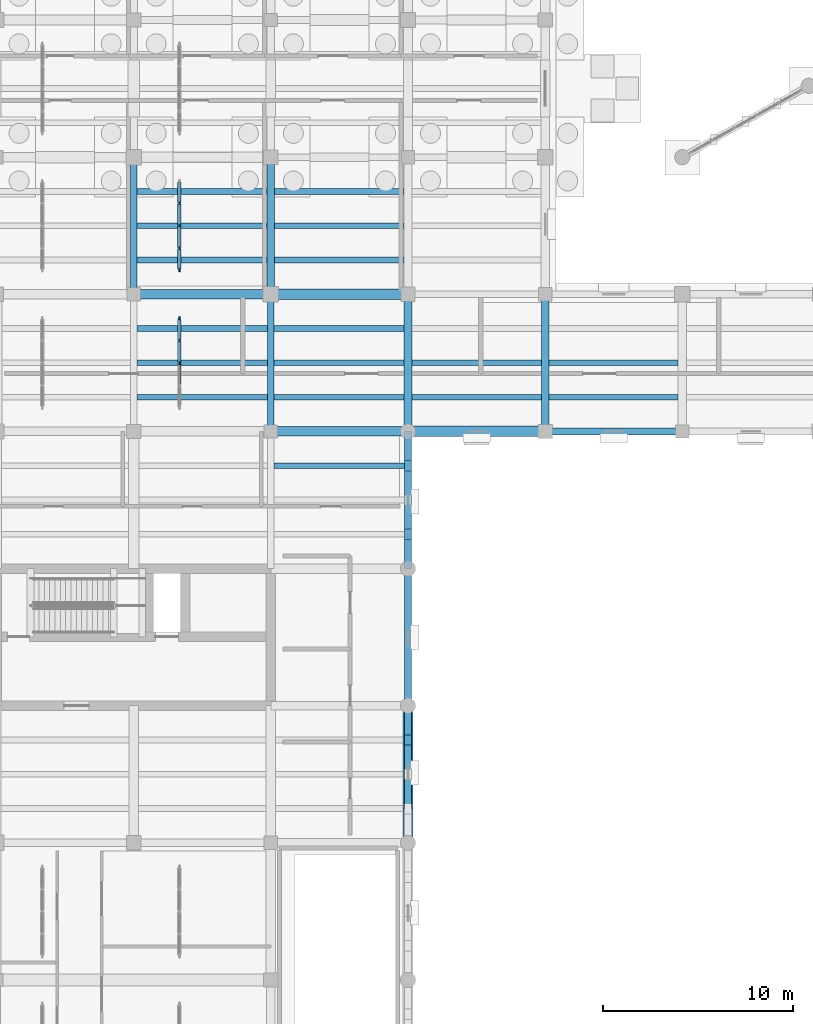
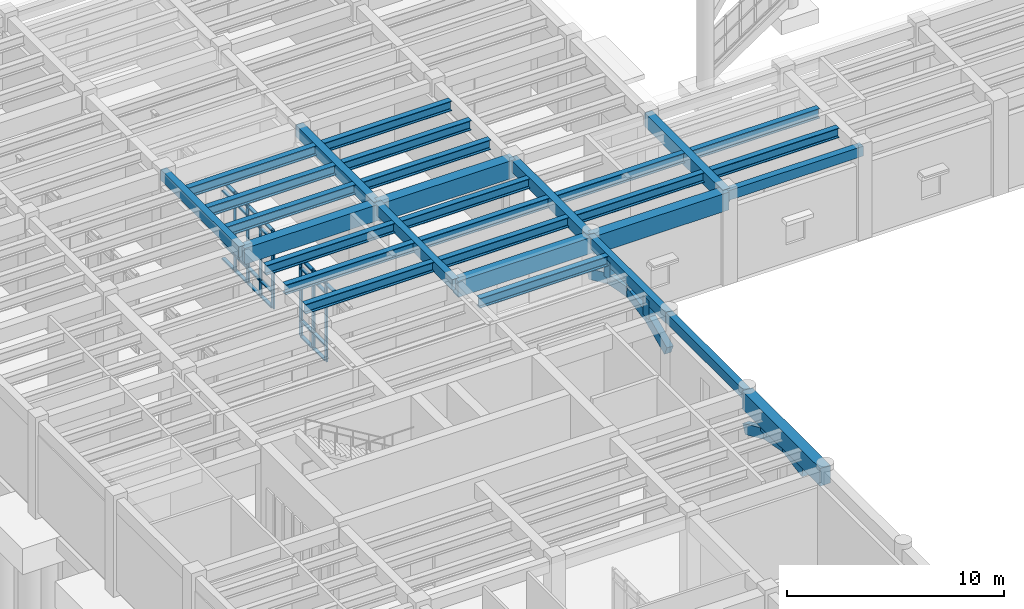
# One storey, part 23 of 100: 42 members, 30 beams, 2 elements without a shape of their own.
"""IFC4 building model written with IfcOpenShell, lengths in metres."""

from ifc_helpers import new_model, si_unit, direction, frame, origin, origin_2d, place, context, subcontext, project, spatial, rectangle, i_section, extrude, material, material_profile, profile_set, type_object, element, aggregate, save


model = new_model("IFC4")

# Units and contexts
model_context = context("Model", 3, precision=1e-05, world=origin(), true_north=direction((0.0, 1.0)))
body_context = subcontext(model_context, "Body", "Model", "MODEL_VIEW")
ifc_project = project(units=[si_unit("LENGTHUNIT", "METRE"), si_unit("AREAUNIT", "SQUARE_METRE"), si_unit("VOLUMEUNIT", "CUBIC_METRE"), si_unit("PLANEANGLEUNIT", "RADIAN"), si_unit("MASSUNIT", "GRAM", prefix="KILO")], contexts=[model_context])

# Site, building, storey
site_placement = place(None, origin())
site = spatial("IfcSite", under=ifc_project, at=site_placement, CompositionType="ELEMENT")
building_placement = place(site_placement, origin())
building = spatial("IfcBuilding", under=site, at=building_placement, Name="Mithqara Police Headquarters", CompositionType="ELEMENT")
storey_placement = place(building_placement, origin())
storey = spatial("IfcBuildingStorey", under=building, at=storey_placement, Name="L00", CompositionType="ELEMENT", Elevation=0.0)

# Members
ifc_material_1 = material(Name="Concrete C50/60", Category="concrete")
ifc_material_profile_1 = material_profile(ifc_material_1, rectangle(XDim=0.35009765625, YDim=0.550048828125, at=origin_2d()), Name="ARC 350x550")
ifc_profile_set_1 = profile_set([ifc_material_profile_1], Name="Concrete C50/60")
member_type_1 = type_object("IfcMemberType", Name="ARCH SEG 350X550", PredefinedType="STRUT", material=ifc_profile_set_1)
member_1_placement = place(storey_placement, frame((29.39990234375, 58.800048828125, 3.76318359375), z_axis=(0.0, 0.982930996603, 0.183974606715), x_axis=(-1.0, 0.0, 0.0)))
element("IfcMember", 1, at=member_1_placement, inside=storey, type_object=member_type_1, Name="West Courtyard Cloister Bay 4 Ottoman Arch Chord 2", PredefinedType="STRUT", context=body_context, shape_type="SweptSolid", body=[
    extrude(rectangle(XDim=0.35009765625, YDim=0.550048828125, at=origin_2d()), origin(), (0.0, 0.0, 1.0), 1.831298828125),
])
member_2_placement = place(storey_placement, frame((29.39990234375, 60.60009765625, 4.10009765625), z_axis=(0.0, 0.982926483452, -0.183998717738), x_axis=(-1.0, 0.0, 0.0)))
element("IfcMember", 2, at=member_2_placement, inside=storey, type_object=member_type_1, Name="West Courtyard Cloister Bay 4 Ottoman Arch Chord 3", PredefinedType="STRUT", context=body_context, shape_type="SweptSolid", body=[
    extrude(rectangle(XDim=0.35009765625, YDim=0.550048828125, at=origin_2d()), origin(), (0.0, 0.0, 1.0), 1.8310546875),
])
member_3_placement = place(storey_placement, frame((29.39990234375, 62.39990234375, 3.76318359375), z_axis=(0.0, 0.911312261811, -0.411715874691), x_axis=(-1.0, 0.0, 0.0)))
element("IfcMember", 3, at=member_3_placement, inside=storey, type_object=member_type_1, Name="West Courtyard Cloister Bay 4 Ottoman Arch Chord 4", PredefinedType="STRUT", context=body_context, shape_type="SweptSolid", body=[
    extrude(rectangle(XDim=0.35009765625, YDim=0.550048828125, at=origin_2d()), origin(), (0.0, 0.0, 1.0), 1.975341796875),
])
member_4_placement = place(storey_placement, frame((29.39990234375, 62.39990234375, 3.76318359375), z_axis=(0.0, 0.0, 1.0), x_axis=(1.0, 0.0, 0.0)))
element("IfcMember", 4, at=member_4_placement, inside=storey, type_object=member_type_1, Name="West Courtyard Cloister Bay 4 Arch Spandrel Post 3", PredefinedType="STRUT", context=body_context, shape_type="SweptSolid", body=[
    extrude(rectangle(XDim=0.35009765625, YDim=0.550048828125, at=origin_2d()), origin(), (0.0, 0.0, 1.0), 0.85693359375),
])
member_5_placement = place(storey_placement, frame((29.39990234375, 71.39990234375, 2.949951171875), z_axis=(0.0, 0.911312261811, 0.411715874691), x_axis=(-1.0, 0.0, 0.0)))
element("IfcMember", 5, at=member_5_placement, inside=storey, type_object=member_type_1, Name="West Courtyard Cloister Bay 6 Ottoman Arch Chord 1", PredefinedType="STRUT", context=body_context, shape_type="SweptSolid", body=[
    extrude(rectangle(XDim=0.35009765625, YDim=0.550048828125, at=origin_2d()), origin(), (0.0, 0.0, 1.0), 1.975341796875),
])
for number, where, z_axis, x_axis, name in (
    (6, (29.39990234375, 73.199951171875, 3.76318359375), (0.0, 0.982930996603, 0.183974606715), (-1.0, 0.0, 0.0), "West Courtyard Cloister Bay 6 Ottoman Arch Chord 2"),
    (7, (29.39990234375, 75.0, 4.10009765625), (0.0, 0.982930996603, -0.183974606715), (-1.0, 0.0, 0.0), "West Courtyard Cloister Bay 6 Ottoman Arch Chord 3"),
):
    element("IfcMember", number, at=place(storey_placement, frame(where, z_axis=z_axis, x_axis=x_axis)), inside=storey, type_object=member_type_1, Name=name, PredefinedType="STRUT", context=body_context, shape_type="SweptSolid", body=[
        extrude(rectangle(XDim=0.35009765625, YDim=0.550048828125, at=origin_2d()), origin(), (0.0, 0.0, 1.0), 1.831298828125),
    ])
member_6_placement = place(storey_placement, frame((29.39990234375, 76.800048828125, 3.76318359375), z_axis=(0.0, 0.911312261811, -0.411715874691), x_axis=(-1.0, 0.0, 0.0)))
element("IfcMember", 8, at=member_6_placement, inside=storey, type_object=member_type_1, Name="West Courtyard Cloister Bay 6 Ottoman Arch Chord 4", PredefinedType="STRUT", context=body_context, shape_type="SweptSolid", body=[
    extrude(rectangle(XDim=0.35009765625, YDim=0.550048828125, at=origin_2d()), origin(), (0.0, 0.0, 1.0), 1.975341796875),
])
for number, where, z_axis, x_axis, name in (
    (9, (29.39990234375, 73.199951171875, 3.76318359375), (0.0, 0.0, 1.0), (1.0, 0.0, 0.0), "West Courtyard Cloister Bay 6 Arch Spandrel Post 1"),
    (10, (29.39990234375, 76.800048828125, 3.76318359375), (0.0, 0.0, 1.0), (1.0, 0.0, 0.0), "West Courtyard Cloister Bay 6 Arch Spandrel Post 3"),
):
    element("IfcMember", number, at=place(storey_placement, frame(where, z_axis=z_axis, x_axis=x_axis)), inside=storey, type_object=member_type_1, Name=name, PredefinedType="STRUT", context=body_context, shape_type="SweptSolid", body=[
        extrude(rectangle(XDim=0.35009765625, YDim=0.550048828125, at=origin_2d()), origin(), (0.0, 0.0, 1.0), 1.056884765625),
    ])

# Beams
ifc_material_2 = material(Name="Steel S355JR", Category="steel")
ifc_material_profile_2 = material_profile(ifc_material_2, i_section(OverallWidth=0.300048828125, OverallDepth=0.550048828125, WebThickness=0.014892578125, FlangeThickness=0.029052734375, FilletRadius=0.027099609375, at=origin_2d()), Name="HEB 550")
ifc_profile_set_2 = profile_set([ifc_material_profile_2], Name="Steel S355JR")
beam_type_1 = type_object("IfcBeamType", Name="BEAM HEB550", PredefinedType="BEAM", material=ifc_profile_set_2)
for number, where, z_axis, x_axis, name in (
    (11, (15.175048828125, 80.39990234375, 4.844970703125), (1.0, 0.0, 0.0), (0.0, 1.0, 0.0), "L00 Composite Steel Joist 3-4/M.1"),
    (12, (15.175048828125, 82.199951171875, 4.844970703125), (1.0, 0.0, 0.0), (0.0, 1.0, 0.0), "L00 Composite Steel Joist 3-4/M.2"),
    (13, (15.175048828125, 84.0, 4.844970703125), (1.0, 0.0, 0.0), (0.0, 1.0, 0.0), "L00 Composite Steel Joist 3-4/M.3"),
):
    element("IfcBeam", number, at=place(storey_placement, frame(where, z_axis=z_axis, x_axis=x_axis)), inside=storey, type_object=beam_type_1, Name=name, PredefinedType="BEAM", context=body_context, shape_type="SweptSolid", body=[
        extrude(i_section(OverallWidth=0.300048828125, OverallDepth=0.550048828125, WebThickness=0.014892578125, FlangeThickness=0.029052734375, FilletRadius=0.027099609375, at=origin_2d()), origin(), (0.0, 0.0, 1.0), 6.849853515625),
    ])
for number, where, z_axis, x_axis, name in (
    (14, (15.175048828125, 87.60009765625, 4.844970703125), (1.0, 0.0, 0.0), (0.0, 1.0, 0.0), "L00 Composite Steel Joist 3-4/N.1"),
    (15, (15.175048828125, 89.39990234375, 4.844970703125), (1.0, 0.0, 0.0), (0.0, 1.0, 0.0), "L00 Composite Steel Joist 3-4/N.2"),
    (16, (15.175048828125, 91.199951171875, 4.844970703125), (1.0, 0.0, 0.0), (0.0, 1.0, 0.0), "L00 Composite Steel Joist 3-4/N.3"),
):
    element("IfcBeam", number, at=place(storey_placement, frame(where, z_axis=z_axis, x_axis=x_axis)), inside=storey, type_object=beam_type_1, Name=name, PredefinedType="BEAM", context=body_context, shape_type="SweptSolid", body=[
        extrude(i_section(OverallWidth=0.300048828125, OverallDepth=0.550048828125, WebThickness=0.014892578125, FlangeThickness=0.029052734375, FilletRadius=0.027099609375, at=origin_2d()), origin(), (0.0, 0.0, 1.0), 6.824951171875),
    ])
beam_1_placement = place(storey_placement, frame((22.375, 76.800048828125, 4.844970703125), z_axis=(1.0, 0.0, 0.0), x_axis=(0.0, 1.0, 0.0)))
element("IfcBeam", 17, at=beam_1_placement, inside=storey, type_object=beam_type_1, Name="L00 Composite Steel Joist 4-5/L.3", PredefinedType="BEAM", context=body_context, shape_type="SweptSolid", body=[
    extrude(i_section(OverallWidth=0.300048828125, OverallDepth=0.550048828125, WebThickness=0.014892578125, FlangeThickness=0.029052734375, FilletRadius=0.027099609375, at=origin_2d()), origin(), (0.0, 0.0, 1.0), 6.85009765625),
])
for number, where, z_axis, x_axis, name in (
    (18, (22.375, 80.39990234375, 4.844970703125), (1.0, 0.0, 0.0), (0.0, 1.0, 0.0), "L00 Composite Steel Joist 4-5/M.1"),
    (19, (22.375, 82.199951171875, 4.844970703125), (1.0, 0.0, 0.0), (0.0, 1.0, 0.0), "L00 Composite Steel Joist 4-5/M.2"),
    (20, (22.375, 84.0, 4.844970703125), (1.0, 0.0, 0.0), (0.0, 1.0, 0.0), "L00 Composite Steel Joist 4-5/M.3"),
):
    element("IfcBeam", number, at=place(storey_placement, frame(where, z_axis=z_axis, x_axis=x_axis)), inside=storey, type_object=beam_type_1, Name=name, PredefinedType="BEAM", context=body_context, shape_type="SweptSolid", body=[
        extrude(i_section(OverallWidth=0.300048828125, OverallDepth=0.550048828125, WebThickness=0.014892578125, FlangeThickness=0.029052734375, FilletRadius=0.027099609375, at=origin_2d()), origin(), (0.0, 0.0, 1.0), 6.824951171875),
    ])
for number, where, z_axis, x_axis, name in (
    (21, (22.39990234375, 87.60009765625, 4.844970703125), (1.0, 0.0, 0.0), (0.0, 1.0, 0.0), "L00 Composite Steel Joist 4-5/N.1"),
    (22, (22.39990234375, 89.39990234375, 4.844970703125), (1.0, 0.0, 0.0), (0.0, 1.0, 0.0), "L00 Composite Steel Joist 4-5/N.2"),
    (23, (22.39990234375, 91.199951171875, 4.844970703125), (1.0, 0.0, 0.0), (0.0, 1.0, 0.0), "L00 Composite Steel Joist 4-5/N.3"),
):
    element("IfcBeam", number, at=place(storey_placement, frame(where, z_axis=z_axis, x_axis=x_axis)), inside=storey, type_object=beam_type_1, Name=name, PredefinedType="BEAM", context=body_context, shape_type="SweptSolid", body=[
        extrude(i_section(OverallWidth=0.300048828125, OverallDepth=0.550048828125, WebThickness=0.014892578125, FlangeThickness=0.029052734375, FilletRadius=0.027099609375, at=origin_2d()), origin(), (0.0, 0.0, 1.0), 6.800048828125),
    ])
for number, where, z_axis, x_axis, name in (
    (24, (29.60009765625, 80.39990234375, 4.844970703125), (1.0, 0.0, 0.0), (0.0, 1.0, 0.0), "L00 Composite Steel Joist 5-6/M.1"),
    (25, (29.60009765625, 82.199951171875, 4.844970703125), (1.0, 0.0, 0.0), (0.0, 1.0, 0.0), "L00 Composite Steel Joist 5-6/M.2"),
):
    element("IfcBeam", number, at=place(storey_placement, frame(where, z_axis=z_axis, x_axis=x_axis)), inside=storey, type_object=beam_type_1, Name=name, PredefinedType="BEAM", context=body_context, shape_type="SweptSolid", body=[
        extrude(i_section(OverallWidth=0.300048828125, OverallDepth=0.550048828125, WebThickness=0.014892578125, FlangeThickness=0.029052734375, FilletRadius=0.027099609375, at=origin_2d()), origin(), (0.0, 0.0, 1.0), 6.7998046875),
    ])
for number, where, z_axis, x_axis, name in (
    (26, (36.800048828125, 80.39990234375, 4.844970703125), (1.0, 0.0, 0.0), (0.0, 1.0, 0.0), "L00 Composite Steel Joist 6-7/M.1"),
    (27, (36.800048828125, 82.199951171875, 4.844970703125), (1.0, 0.0, 0.0), (0.0, 1.0, 0.0), "L00 Composite Steel Joist 6-7/M.2"),
):
    element("IfcBeam", number, at=place(storey_placement, frame(where, z_axis=z_axis, x_axis=x_axis)), inside=storey, type_object=beam_type_1, Name=name, PredefinedType="BEAM", context=body_context, shape_type="SweptSolid", body=[
        extrude(i_section(OverallWidth=0.300048828125, OverallDepth=0.550048828125, WebThickness=0.014892578125, FlangeThickness=0.029052734375, FilletRadius=0.027099609375, at=origin_2d()), origin(), (0.0, 0.0, 1.0), 6.77490234375),
    ])
ifc_material_3 = material(Name="Concrete C40/50", Category="concrete")
ifc_material_profile_3 = material_profile(ifc_material_3, rectangle(XDim=0.35009765625, YDim=0.550048828125, at=origin_2d()), Name="RC 350x550")
ifc_profile_set_3 = profile_set([ifc_material_profile_3], Name="Concrete C40/50")
beam_type_2 = type_object("IfcBeamType", Name="BEAM RC350X550", PredefinedType="BEAM", material=ifc_profile_set_3)
for number, where, z_axis, x_axis, name in (
    (28, (29.39990234375, 64.199951171875, 4.844970703125), (0.0, 1.0, 0.0), (-1.0, 0.0, 0.0), "L00 Girder 5/K-L"),
    (29, (36.60009765625, 78.60009765625, 4.844970703125), (1.0, 0.0, 0.0), (0.0, 1.0, 0.0), "L00 Girder 6-7/M"),
):
    element("IfcBeam", number, at=place(storey_placement, frame(where, z_axis=z_axis, x_axis=x_axis)), inside=storey, type_object=beam_type_2, Name=name, PredefinedType="BEAM", context=body_context, shape_type="SweptSolid", body=[
        extrude(rectangle(XDim=0.35009765625, YDim=0.550048828125, at=origin_2d()), origin(), (0.0, 0.0, 1.0), 7.199951171875),
    ])
ifc_material_profile_4 = material_profile(ifc_material_3, rectangle(XDim=0.35009765625, YDim=0.60009765625, at=origin_2d()), Name="RC 350x600")
ifc_profile_set_4 = profile_set([ifc_material_profile_4], Name="Concrete C40/50")
beam_type_3 = type_object("IfcBeamType", Name="BEAM RC350X600", PredefinedType="BEAM", material=ifc_profile_set_4)
for number, where, z_axis, x_axis, name in (
    (30, (15.0, 85.800048828125, 4.820068359375), (0.0, 1.0, 0.0), (-1.0, 0.0, 0.0), "L00 Girder 3/N-P"),
    (31, (22.199951171875, 78.60009765625, 4.820068359375), (0.0, 1.0, 0.0), (-1.0, 0.0, 0.0), "L00 Girder 4/M-N"),
):
    element("IfcBeam", number, at=place(storey_placement, frame(where, z_axis=z_axis, x_axis=x_axis)), inside=storey, type_object=beam_type_3, Name=name, PredefinedType="BEAM", context=body_context, shape_type="SweptSolid", body=[
        extrude(rectangle(XDim=0.35009765625, YDim=0.60009765625, at=origin_2d()), origin(), (0.0, 0.0, 1.0), 7.199951171875),
    ])
beam_2_placement = place(storey_placement, frame((29.39990234375, 71.39990234375, 4.820068359375), z_axis=(0.0, 1.0, 0.0), x_axis=(-1.0, 0.0, 0.0)))
element("IfcBeam", 32, at=beam_2_placement, inside=storey, type_object=beam_type_3, Name="L00 Girder 5/L-M", PredefinedType="BEAM", context=body_context, shape_type="SweptSolid", body=[
    extrude(rectangle(XDim=0.35009765625, YDim=0.60009765625, at=origin_2d()), origin(), (0.0, 0.0, 1.0), 7.2001953125),
])
ifc_material_profile_5 = material_profile(ifc_material_3, rectangle(XDim=0.39990234375, YDim=0.64990234375, at=origin_2d()), Name="RC 400x650")
ifc_profile_set_5 = profile_set([ifc_material_profile_5], Name="Concrete C40/50")
beam_type_4 = type_object("IfcBeamType", Name="BEAM RC400X650", PredefinedType="BEAM", material=ifc_profile_set_5)
for number, where, z_axis, x_axis, name in (
    (33, (22.199951171875, 85.800048828125, 4.794921875), (0.0, 1.0, 0.0), (-1.0, 0.0, 0.0), "L00 Girder 4/N-P"),
    (34, (29.39990234375, 78.60009765625, 4.794921875), (0.0, 1.0, 0.0), (-1.0, 0.0, 0.0), "L00 Girder 5/M-N"),
):
    element("IfcBeam", number, at=place(storey_placement, frame(where, z_axis=z_axis, x_axis=x_axis)), inside=storey, type_object=beam_type_4, Name=name, PredefinedType="BEAM", context=body_context, shape_type="SweptSolid", body=[
        extrude(rectangle(XDim=0.39990234375, YDim=0.64990234375, at=origin_2d()), origin(), (0.0, 0.0, 1.0), 7.199951171875),
    ])
ifc_material_profile_6 = material_profile(ifc_material_3, rectangle(XDim=0.39990234375, YDim=0.75, at=origin_2d()), Name="RC 400x750")
ifc_profile_set_6 = profile_set([ifc_material_profile_6], Name="Concrete C40/50")
beam_type_5 = type_object("IfcBeamType", Name="BEAM RC400X750", PredefinedType="BEAM", material=ifc_profile_set_6)
beam_3_placement = place(storey_placement, frame((36.60009765625, 78.60009765625, 4.7451171875), z_axis=(0.0, 1.0, 0.0), x_axis=(-1.0, 0.0, 0.0)))
element("IfcBeam", 35, at=beam_3_placement, inside=storey, type_object=beam_type_5, Name="L00 Girder 6/M-N", PredefinedType="BEAM", context=body_context, shape_type="SweptSolid", body=[
    extrude(rectangle(XDim=0.39990234375, YDim=0.75, at=origin_2d()), origin(), (0.0, 0.0, 1.0), 7.199951171875),
])
ifc_material_profile_7 = material_profile(ifc_material_1, rectangle(XDim=0.5, YDim=0.89990234375, at=origin_2d()), Name="RC 500x900")
ifc_profile_set_7 = profile_set([ifc_material_profile_7], Name="Concrete C50/60")
beam_type_6 = type_object("IfcBeamType", Name="BEAM RC500X900", PredefinedType="BEAM", material=ifc_profile_set_7)
for number, where, z_axis, x_axis, name in (
    (36, (15.0, 85.800048828125, 4.669921875), (1.0, 0.0, 0.0), (0.0, 1.0, 0.0), "L00 Girder 3-4/N"),
    (37, (22.199951171875, 78.60009765625, 4.669921875), (1.0, 0.0, 0.0), (0.0, 1.0, 0.0), "L00 Girder 4-5/M"),
):
    element("IfcBeam", number, at=place(storey_placement, frame(where, z_axis=z_axis, x_axis=x_axis)), inside=storey, type_object=beam_type_6, Name=name, PredefinedType="BEAM", context=body_context, shape_type="SweptSolid", body=[
        extrude(rectangle(XDim=0.5, YDim=0.89990234375, at=origin_2d()), origin(), (0.0, 0.0, 1.0), 7.199951171875),
    ])
ifc_material_profile_8 = material_profile(ifc_material_1, rectangle(XDim=0.550048828125, YDim=1.0, at=origin_2d()), Name="RC 550x1000")
ifc_profile_set_8 = profile_set([ifc_material_profile_8], Name="Concrete C50/60")
beam_type_7 = type_object("IfcBeamType", Name="BEAM RC550X1000", PredefinedType="BEAM", material=ifc_profile_set_8)
for number, where, z_axis, x_axis, name in (
    (38, (22.199951171875, 85.800048828125, 4.6201171875), (1.0, 0.0, 0.0), (0.0, 1.0, 0.0), "L00 Girder 4-5/N"),
    (39, (29.39990234375, 57.0, 4.6201171875), (0.0, 1.0, 0.0), (-1.0, 0.0, 0.0), "L00 Girder 5/J-K"),
):
    element("IfcBeam", number, at=place(storey_placement, frame(where, z_axis=z_axis, x_axis=x_axis)), inside=storey, type_object=beam_type_7, Name=name, PredefinedType="BEAM", context=body_context, shape_type="SweptSolid", body=[
        extrude(rectangle(XDim=0.550048828125, YDim=1.0, at=origin_2d()), origin(), (0.0, 0.0, 1.0), 7.199951171875),
    ])
beam_4_placement = place(storey_placement, frame((29.39990234375, 78.60009765625, 4.6201171875), z_axis=(1.0, 0.0, 0.0), x_axis=(0.0, 1.0, 0.0)))
element("IfcBeam", 40, at=beam_4_placement, inside=storey, type_object=beam_type_7, Name="L00 Girder 5-6/M", PredefinedType="BEAM", context=body_context, shape_type="SweptSolid", body=[
    extrude(rectangle(XDim=0.550048828125, YDim=1.0, at=origin_2d()), origin(), (0.0, 0.0, 1.0), 7.2001953125),
])

# Curtain wall, members
ifc_material_4 = material(Name="Bronze anodised aluminium 6063-T6", Category="aluminium")
curtain_wall_type = type_object("IfcCurtainWallType", Name="CURTAIN WALL 4700X4400", PredefinedType="USERDEFINED", material=ifc_material_4)
curtain_wall_1_placement = place(storey_placement, origin())
curtain_wall_1 = element("IfcCurtainWall", 41, at=curtain_wall_1_placement, inside=storey, type_object=curtain_wall_type, Name="L00 Unitised Glazing CW-14 (CW-INT-L00-X02-Y11-0)", ObjectType="UNITISED GLAZING", PredefinedType="USERDEFINED")
ifc_material_profile_9 = material_profile(ifc_material_4, rectangle(XDim=0.074951171875, YDim=0.219970703125, at=origin_2d()), Name="CWM 75x220")
ifc_profile_set_9 = profile_set([ifc_material_profile_9], Name="Bronze anodised aluminium 6063-T6")
member_type_2 = type_object("IfcMemberType", Name="CWMULLION 75X220", PredefinedType="MULLION", material=ifc_profile_set_9)
member_7_placement = place(storey_placement, frame((17.39990234375, 82.199951171875, 0.0), z_axis=(0.0, 0.0, 1.0), x_axis=(-1.0, 0.0, 0.0)))
member_7 = element("IfcMember", 42, at=member_7_placement, type_object=member_type_2, Name="CW-14 mullion 3", PredefinedType="MULLION", context=body_context, shape_type="SweptSolid", body=[
    extrude(rectangle(XDim=0.074951171875, YDim=0.219970703125, at=origin_2d()), origin(), (0.0, 0.0, 1.0), 4.39990234375),
])
member_8_placement = place(storey_placement, frame((17.39990234375, 83.375, 0.0), z_axis=(0.0, 0.0, 1.0), x_axis=(-1.0, 0.0, 0.0)))
member_8 = element("IfcMember", 43, at=member_8_placement, type_object=member_type_2, Name="CW-14 mullion 4", PredefinedType="MULLION", context=body_context, shape_type="SweptSolid", body=[
    extrude(rectangle(XDim=0.074951171875, YDim=0.219970703125, at=origin_2d()), origin(), (0.0, 0.0, 1.0), 4.39990234375),
])
member_9_placement = place(storey_placement, frame((17.39990234375, 84.512451171875, 0.0), z_axis=(0.0, 0.0, 1.0), x_axis=(-1.0, 0.0, 0.0)))
member_9 = element("IfcMember", 44, at=member_9_placement, type_object=member_type_2, Name="CW-14 mullion 5", PredefinedType="MULLION", context=body_context, shape_type="SweptSolid", body=[
    extrude(rectangle(XDim=0.074951171875, YDim=0.219970703125, at=origin_2d()), origin(), (0.0, 0.0, 1.0), 4.39990234375),
])

curtain_wall_2_placement = place(storey_placement, origin())
curtain_wall_2 = element("IfcCurtainWall", 45, at=curtain_wall_2_placement, inside=storey, type_object=curtain_wall_type, Name="L00 Unitised Glazing CW-14 (CW-INT-L00-X02-Y12-0)", ObjectType="UNITISED GLAZING", PredefinedType="USERDEFINED")
member_10_placement = place(storey_placement, frame((17.39990234375, 87.08740234375, 0.0), z_axis=(0.0, 0.0, 1.0), x_axis=(-1.0, 0.0, 0.0)))
member_10 = element("IfcMember", 46, at=member_10_placement, type_object=member_type_2, Name="CW-14 mullion 1", PredefinedType="MULLION", context=body_context, shape_type="SweptSolid", body=[
    extrude(rectangle(XDim=0.074951171875, YDim=0.219970703125, at=origin_2d()), origin(), (0.0, 0.0, 1.0), 4.39990234375),
])
member_11_placement = place(storey_placement, frame((17.39990234375, 88.22509765625, 0.0), z_axis=(0.0, 0.0, 1.0), x_axis=(-1.0, 0.0, 0.0)))
member_11 = element("IfcMember", 47, at=member_11_placement, type_object=member_type_2, Name="CW-14 mullion 2", PredefinedType="MULLION", context=body_context, shape_type="SweptSolid", body=[
    extrude(rectangle(XDim=0.074951171875, YDim=0.219970703125, at=origin_2d()), origin(), (0.0, 0.0, 1.0), 4.39990234375),
])
member_12_placement = place(storey_placement, frame((17.39990234375, 89.39990234375, 0.0), z_axis=(0.0, 0.0, 1.0), x_axis=(-1.0, 0.0, 0.0)))
member_12 = element("IfcMember", 48, at=member_12_placement, type_object=member_type_2, Name="CW-14 mullion 3", PredefinedType="MULLION", context=body_context, shape_type="SweptSolid", body=[
    extrude(rectangle(XDim=0.074951171875, YDim=0.219970703125, at=origin_2d()), origin(), (0.0, 0.0, 1.0), 4.39990234375),
])
member_13_placement = place(storey_placement, frame((17.39990234375, 90.574951171875, 0.0), z_axis=(0.0, 0.0, 1.0), x_axis=(-1.0, 0.0, 0.0)))
member_13 = element("IfcMember", 49, at=member_13_placement, type_object=member_type_2, Name="CW-14 mullion 4", PredefinedType="MULLION", context=body_context, shape_type="SweptSolid", body=[
    extrude(rectangle(XDim=0.074951171875, YDim=0.219970703125, at=origin_2d()), origin(), (0.0, 0.0, 1.0), 4.39990234375),
])

# Member
ifc_material_profile_10 = material_profile(ifc_material_4, rectangle(XDim=0.179931640625, YDim=0.074951171875, at=origin_2d()), Name="CWT 180x75")
ifc_profile_set_10 = profile_set([ifc_material_profile_10], Name="Bronze anodised aluminium 6063-T6")
member_type_3 = type_object("IfcMemberType", Name="CWTRANSOM 180X75", PredefinedType="USERDEFINED", material=ifc_profile_set_10)
member_14_placement = place(storey_placement, frame((17.39990234375, 81.0625, 4.362548828125), z_axis=(0.0, 1.0, 0.0), x_axis=(-1.0, 0.0, 0.0)))
member_14 = element("IfcMember", 50, at=member_14_placement, type_object=member_type_3, Name="CW-14 transom 2.4", ObjectType="TRANSOM", PredefinedType="USERDEFINED", context=body_context, shape_type="SweptSolid", body=[
    extrude(rectangle(XDim=0.179931640625, YDim=0.074951171875, at=origin_2d()), origin(), (0.0, 0.0, 1.0), 1.10009765625),
])

member_15_placement = place(storey_placement, frame((17.39990234375, 82.237548828125, 0.03759765625), z_axis=(0.0, 1.0, 0.0), x_axis=(-1.0, 0.0, 0.0)))
member_15 = element("IfcMember", 51, at=member_15_placement, type_object=member_type_3, Name="CW-14 transom 3.1", ObjectType="TRANSOM", PredefinedType="USERDEFINED", context=body_context, shape_type="SweptSolid", body=[
    extrude(rectangle(XDim=0.179931640625, YDim=0.074951171875, at=origin_2d()), origin(), (0.0, 0.0, 1.0), 1.099853515625),
])

member_16_placement = place(storey_placement, frame((17.39990234375, 82.237548828125, 0.89990234375), z_axis=(0.0, 1.0, 0.0), x_axis=(-1.0, 0.0, 0.0)))
member_16 = element("IfcMember", 52, at=member_16_placement, type_object=member_type_3, Name="CW-14 transom 3.2", ObjectType="TRANSOM", PredefinedType="USERDEFINED", context=body_context, shape_type="SweptSolid", body=[
    extrude(rectangle(XDim=0.179931640625, YDim=0.074951171875, at=origin_2d()), origin(), (0.0, 0.0, 1.0), 1.099853515625),
])

member_17_placement = place(storey_placement, frame((17.39990234375, 82.237548828125, 3.85009765625), z_axis=(0.0, 1.0, 0.0), x_axis=(-1.0, 0.0, 0.0)))
member_17 = element("IfcMember", 53, at=member_17_placement, type_object=member_type_3, Name="CW-14 transom 3.3", ObjectType="TRANSOM", PredefinedType="USERDEFINED", context=body_context, shape_type="SweptSolid", body=[
    extrude(rectangle(XDim=0.179931640625, YDim=0.074951171875, at=origin_2d()), origin(), (0.0, 0.0, 1.0), 1.099853515625),
])

member_18_placement = place(storey_placement, frame((17.39990234375, 82.237548828125, 4.362548828125), z_axis=(0.0, 1.0, 0.0), x_axis=(-1.0, 0.0, 0.0)))
member_18 = element("IfcMember", 54, at=member_18_placement, type_object=member_type_3, Name="CW-14 transom 3.4", ObjectType="TRANSOM", PredefinedType="USERDEFINED", context=body_context, shape_type="SweptSolid", body=[
    extrude(rectangle(XDim=0.179931640625, YDim=0.074951171875, at=origin_2d()), origin(), (0.0, 0.0, 1.0), 1.099853515625),
])

member_19_placement = place(storey_placement, frame((17.39990234375, 83.41259765625, 0.03759765625), z_axis=(0.0, 1.0, 0.0), x_axis=(-1.0, 0.0, 0.0)))
member_19 = element("IfcMember", 55, at=member_19_placement, type_object=member_type_3, Name="CW-14 transom 4.1", ObjectType="TRANSOM", PredefinedType="USERDEFINED", context=body_context, shape_type="SweptSolid", body=[
    extrude(rectangle(XDim=0.179931640625, YDim=0.074951171875, at=origin_2d()), origin(), (0.0, 0.0, 1.0), 1.0625),
])

member_20_placement = place(storey_placement, frame((17.39990234375, 83.41259765625, 0.89990234375), z_axis=(0.0, 1.0, 0.0), x_axis=(-1.0, 0.0, 0.0)))
member_20 = element("IfcMember", 56, at=member_20_placement, type_object=member_type_3, Name="CW-14 transom 4.2", ObjectType="TRANSOM", PredefinedType="USERDEFINED", context=body_context, shape_type="SweptSolid", body=[
    extrude(rectangle(XDim=0.179931640625, YDim=0.074951171875, at=origin_2d()), origin(), (0.0, 0.0, 1.0), 1.0625),
])

member_21_placement = place(storey_placement, frame((17.39990234375, 83.41259765625, 3.85009765625), z_axis=(0.0, 1.0, 0.0), x_axis=(-1.0, 0.0, 0.0)))
member_21 = element("IfcMember", 57, at=member_21_placement, type_object=member_type_3, Name="CW-14 transom 4.3", ObjectType="TRANSOM", PredefinedType="USERDEFINED", context=body_context, shape_type="SweptSolid", body=[
    extrude(rectangle(XDim=0.179931640625, YDim=0.074951171875, at=origin_2d()), origin(), (0.0, 0.0, 1.0), 1.0625),
])

member_22_placement = place(storey_placement, frame((17.39990234375, 83.41259765625, 4.362548828125), z_axis=(0.0, 1.0, 0.0), x_axis=(-1.0, 0.0, 0.0)))
member_22 = element("IfcMember", 58, at=member_22_placement, type_object=member_type_3, Name="CW-14 transom 4.4", ObjectType="TRANSOM", PredefinedType="USERDEFINED", context=body_context, shape_type="SweptSolid", body=[
    extrude(rectangle(XDim=0.179931640625, YDim=0.074951171875, at=origin_2d()), origin(), (0.0, 0.0, 1.0), 1.0625),
])

aggregate(curtain_wall_1, [member_7, member_8, member_9, member_14, member_15, member_16, member_17, member_18, member_19, member_20, member_21, member_22])

member_23_placement = place(storey_placement, frame((17.39990234375, 87.125, 0.03759765625), z_axis=(0.0, 1.0, 0.0), x_axis=(-1.0, 0.0, 0.0)))
member_23 = element("IfcMember", 59, at=member_23_placement, type_object=member_type_3, Name="CW-14 transom 1.1", ObjectType="TRANSOM", PredefinedType="USERDEFINED", context=body_context, shape_type="SweptSolid", body=[
    extrude(rectangle(XDim=0.179931640625, YDim=0.074951171875, at=origin_2d()), origin(), (0.0, 0.0, 1.0), 1.0625),
])

member_24_placement = place(storey_placement, frame((17.39990234375, 87.125, 0.89990234375), z_axis=(0.0, 1.0, 0.0), x_axis=(-1.0, 0.0, 0.0)))
member_24 = element("IfcMember", 60, at=member_24_placement, type_object=member_type_3, Name="CW-14 transom 1.2", ObjectType="TRANSOM", PredefinedType="USERDEFINED", context=body_context, shape_type="SweptSolid", body=[
    extrude(rectangle(XDim=0.179931640625, YDim=0.074951171875, at=origin_2d()), origin(), (0.0, 0.0, 1.0), 1.0625),
])

member_25_placement = place(storey_placement, frame((17.39990234375, 87.125, 3.85009765625), z_axis=(0.0, 1.0, 0.0), x_axis=(-1.0, 0.0, 0.0)))
member_25 = element("IfcMember", 61, at=member_25_placement, type_object=member_type_3, Name="CW-14 transom 1.3", ObjectType="TRANSOM", PredefinedType="USERDEFINED", context=body_context, shape_type="SweptSolid", body=[
    extrude(rectangle(XDim=0.179931640625, YDim=0.074951171875, at=origin_2d()), origin(), (0.0, 0.0, 1.0), 1.0625),
])

member_26_placement = place(storey_placement, frame((17.39990234375, 87.125, 4.362548828125), z_axis=(0.0, 1.0, 0.0), x_axis=(-1.0, 0.0, 0.0)))
member_26 = element("IfcMember", 62, at=member_26_placement, type_object=member_type_3, Name="CW-14 transom 1.4", ObjectType="TRANSOM", PredefinedType="USERDEFINED", context=body_context, shape_type="SweptSolid", body=[
    extrude(rectangle(XDim=0.179931640625, YDim=0.074951171875, at=origin_2d()), origin(), (0.0, 0.0, 1.0), 1.0625),
])

member_27_placement = place(storey_placement, frame((17.39990234375, 88.262451171875, 0.03759765625), z_axis=(0.0, 1.0, 0.0), x_axis=(-1.0, 0.0, 0.0)))
member_27 = element("IfcMember", 63, at=member_27_placement, type_object=member_type_3, Name="CW-14 transom 2.1", ObjectType="TRANSOM", PredefinedType="USERDEFINED", context=body_context, shape_type="SweptSolid", body=[
    extrude(rectangle(XDim=0.179931640625, YDim=0.074951171875, at=origin_2d()), origin(), (0.0, 0.0, 1.0), 1.10009765625),
])

member_28_placement = place(storey_placement, frame((17.39990234375, 88.262451171875, 0.89990234375), z_axis=(0.0, 1.0, 0.0), x_axis=(-1.0, 0.0, 0.0)))
member_28 = element("IfcMember", 64, at=member_28_placement, type_object=member_type_3, Name="CW-14 transom 2.2", ObjectType="TRANSOM", PredefinedType="USERDEFINED", context=body_context, shape_type="SweptSolid", body=[
    extrude(rectangle(XDim=0.179931640625, YDim=0.074951171875, at=origin_2d()), origin(), (0.0, 0.0, 1.0), 1.10009765625),
])

member_29_placement = place(storey_placement, frame((17.39990234375, 88.262451171875, 3.85009765625), z_axis=(0.0, 1.0, 0.0), x_axis=(-1.0, 0.0, 0.0)))
member_29 = element("IfcMember", 65, at=member_29_placement, type_object=member_type_3, Name="CW-14 transom 2.3", ObjectType="TRANSOM", PredefinedType="USERDEFINED", context=body_context, shape_type="SweptSolid", body=[
    extrude(rectangle(XDim=0.179931640625, YDim=0.074951171875, at=origin_2d()), origin(), (0.0, 0.0, 1.0), 1.10009765625),
])

member_30_placement = place(storey_placement, frame((17.39990234375, 88.262451171875, 4.362548828125), z_axis=(0.0, 1.0, 0.0), x_axis=(-1.0, 0.0, 0.0)))
member_30 = element("IfcMember", 66, at=member_30_placement, type_object=member_type_3, Name="CW-14 transom 2.4", ObjectType="TRANSOM", PredefinedType="USERDEFINED", context=body_context, shape_type="SweptSolid", body=[
    extrude(rectangle(XDim=0.179931640625, YDim=0.074951171875, at=origin_2d()), origin(), (0.0, 0.0, 1.0), 1.10009765625),
])

member_31_placement = place(storey_placement, frame((17.39990234375, 89.4375, 0.03759765625), z_axis=(0.0, 1.0, 0.0), x_axis=(-1.0, 0.0, 0.0)))
member_31 = element("IfcMember", 67, at=member_31_placement, type_object=member_type_3, Name="CW-14 transom 3.1", ObjectType="TRANSOM", PredefinedType="USERDEFINED", context=body_context, shape_type="SweptSolid", body=[
    extrude(rectangle(XDim=0.179931640625, YDim=0.074951171875, at=origin_2d()), origin(), (0.0, 0.0, 1.0), 1.10009765625),
])

member_32_placement = place(storey_placement, frame((17.39990234375, 89.4375, 0.89990234375), z_axis=(0.0, 1.0, 0.0), x_axis=(-1.0, 0.0, 0.0)))
member_32 = element("IfcMember", 68, at=member_32_placement, type_object=member_type_3, Name="CW-14 transom 3.2", ObjectType="TRANSOM", PredefinedType="USERDEFINED", context=body_context, shape_type="SweptSolid", body=[
    extrude(rectangle(XDim=0.179931640625, YDim=0.074951171875, at=origin_2d()), origin(), (0.0, 0.0, 1.0), 1.10009765625),
])

member_33_placement = place(storey_placement, frame((17.39990234375, 89.4375, 3.85009765625), z_axis=(0.0, 1.0, 0.0), x_axis=(-1.0, 0.0, 0.0)))
member_33 = element("IfcMember", 69, at=member_33_placement, type_object=member_type_3, Name="CW-14 transom 3.3", ObjectType="TRANSOM", PredefinedType="USERDEFINED", context=body_context, shape_type="SweptSolid", body=[
    extrude(rectangle(XDim=0.179931640625, YDim=0.074951171875, at=origin_2d()), origin(), (0.0, 0.0, 1.0), 1.10009765625),
])

member_34_placement = place(storey_placement, frame((17.39990234375, 89.4375, 4.362548828125), z_axis=(0.0, 1.0, 0.0), x_axis=(-1.0, 0.0, 0.0)))
member_34 = element("IfcMember", 70, at=member_34_placement, type_object=member_type_3, Name="CW-14 transom 3.4", ObjectType="TRANSOM", PredefinedType="USERDEFINED", context=body_context, shape_type="SweptSolid", body=[
    extrude(rectangle(XDim=0.179931640625, YDim=0.074951171875, at=origin_2d()), origin(), (0.0, 0.0, 1.0), 1.10009765625),
])

member_35_placement = place(storey_placement, frame((17.39990234375, 90.612548828125, 0.03759765625), z_axis=(0.0, 1.0, 0.0), x_axis=(-1.0, 0.0, 0.0)))
member_35 = element("IfcMember", 71, at=member_35_placement, type_object=member_type_3, Name="CW-14 transom 4.1", ObjectType="TRANSOM", PredefinedType="USERDEFINED", context=body_context, shape_type="SweptSolid", body=[
    extrude(rectangle(XDim=0.179931640625, YDim=0.074951171875, at=origin_2d()), origin(), (0.0, 0.0, 1.0), 1.0625),
])

member_36_placement = place(storey_placement, frame((17.39990234375, 90.612548828125, 0.89990234375), z_axis=(0.0, 1.0, 0.0), x_axis=(-1.0, 0.0, 0.0)))
member_36 = element("IfcMember", 72, at=member_36_placement, type_object=member_type_3, Name="CW-14 transom 4.2", ObjectType="TRANSOM", PredefinedType="USERDEFINED", context=body_context, shape_type="SweptSolid", body=[
    extrude(rectangle(XDim=0.179931640625, YDim=0.074951171875, at=origin_2d()), origin(), (0.0, 0.0, 1.0), 1.0625),
])

member_37_placement = place(storey_placement, frame((17.39990234375, 90.612548828125, 3.85009765625), z_axis=(0.0, 1.0, 0.0), x_axis=(-1.0, 0.0, 0.0)))
member_37 = element("IfcMember", 73, at=member_37_placement, type_object=member_type_3, Name="CW-14 transom 4.3", ObjectType="TRANSOM", PredefinedType="USERDEFINED", context=body_context, shape_type="SweptSolid", body=[
    extrude(rectangle(XDim=0.179931640625, YDim=0.074951171875, at=origin_2d()), origin(), (0.0, 0.0, 1.0), 1.0625),
])

member_38_placement = place(storey_placement, frame((17.39990234375, 90.612548828125, 4.362548828125), z_axis=(0.0, 1.0, 0.0), x_axis=(-1.0, 0.0, 0.0)))
member_38 = element("IfcMember", 74, at=member_38_placement, type_object=member_type_3, Name="CW-14 transom 4.4", ObjectType="TRANSOM", PredefinedType="USERDEFINED", context=body_context, shape_type="SweptSolid", body=[
    extrude(rectangle(XDim=0.179931640625, YDim=0.074951171875, at=origin_2d()), origin(), (0.0, 0.0, 1.0), 1.0625),
])

aggregate(curtain_wall_2, [member_10, member_11, member_12, member_13, member_23, member_24, member_25, member_26, member_27, member_28, member_29, member_30, member_31, member_32, member_33, member_34, member_35, member_36, member_37, member_38])

save(model, "model.ifc")
